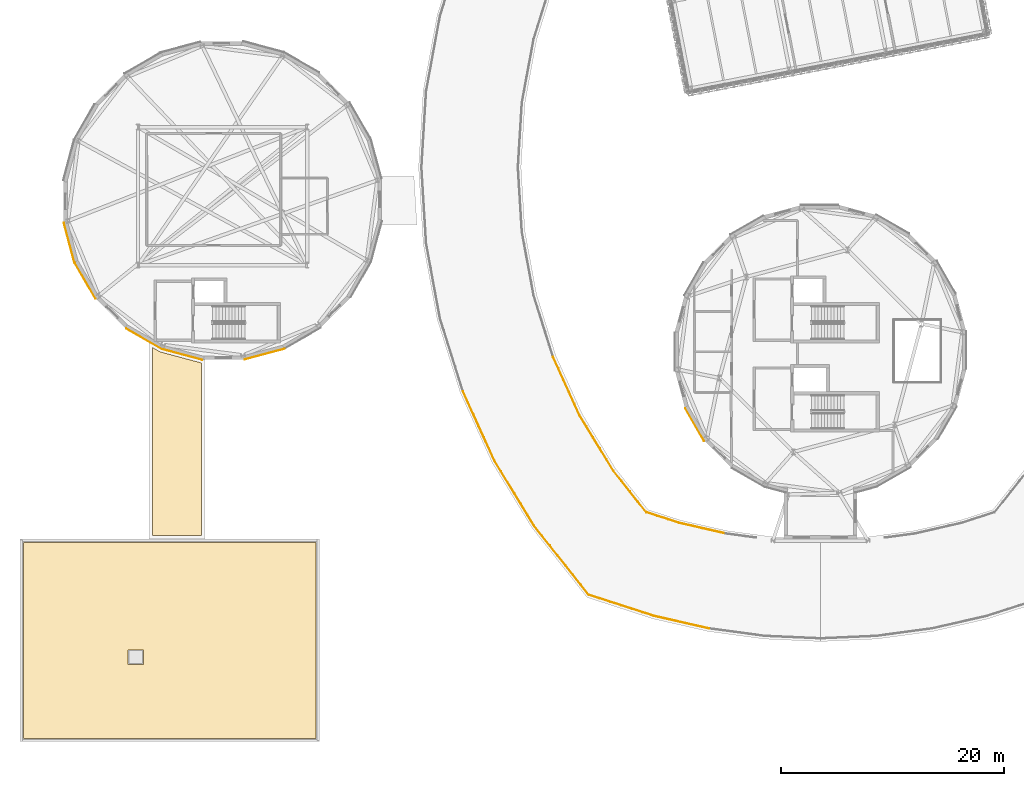
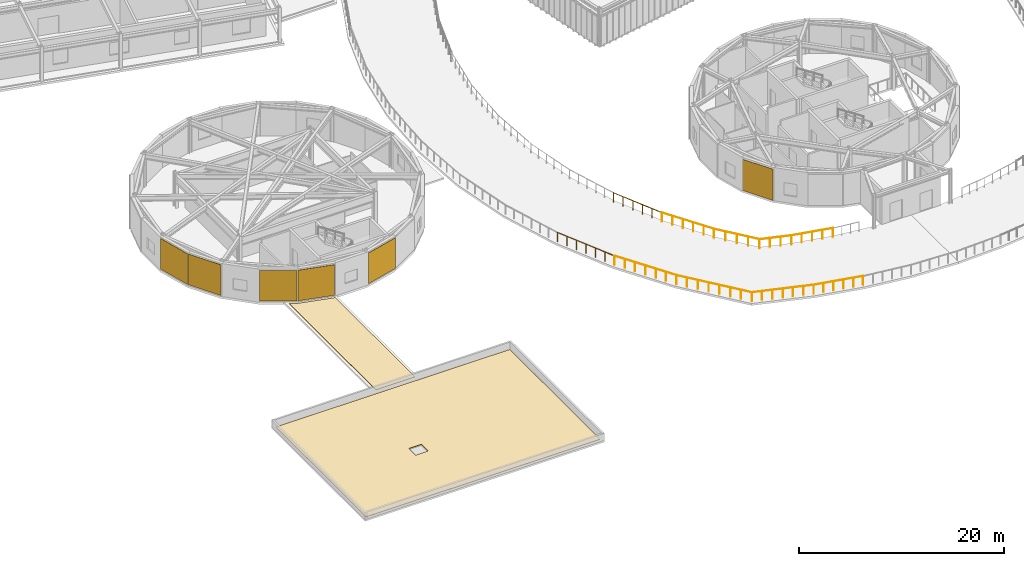
# One storey, part 45 of 59: 10 railings, 8 coverings.
"""IFC4 building model written with IfcOpenShell, lengths in metres."""

from ifc_helpers import new_model, si_unit, direction, frame, origin, origin_2d, place, context, subcontext, project, spatial, polyline, rectangle, circle, outline, extrude, material, layer, layer_set, type_object, element, save


model = new_model("IFC4")

# Units and contexts
model_context = context("Model", 3, precision=1e-05, world=origin(), true_north=direction((0.0, 1.0)))
body_context = subcontext(model_context, "Body", "Model", "MODEL_VIEW")
ifc_project = project(units=[si_unit("LENGTHUNIT", "METRE"), si_unit("AREAUNIT", "SQUARE_METRE"), si_unit("VOLUMEUNIT", "CUBIC_METRE"), si_unit("PLANEANGLEUNIT", "RADIAN"), si_unit("MASSUNIT", "GRAM", prefix="KILO")], contexts=[model_context])

# Site, building, storey
site_placement = place(None, origin())
site = spatial("IfcSite", under=ifc_project, at=site_placement, CompositionType="ELEMENT")
building_placement = place(site_placement, origin())
building = spatial("IfcBuilding", under=site, at=building_placement, Name="Varnklinge Art Gallery", CompositionType="ELEMENT")
storey_placement = place(building_placement, frame((0.0, 0.0, 9.52001953125)))
storey = spatial("IfcBuildingStorey", under=building, at=storey_placement, Name="L02", CompositionType="ELEMENT", Elevation=9.52001953125)

# Coverings
ifc_material_1 = material(Name="Oxide Terracotta Panel", Category="masonry")
ifc_layer_1 = layer(ifc_material_1, 0.034912109375)
ifc_layer_set_1 = layer_set([ifc_layer_1], Name="Oxide Terracotta Panel")
covering_type_1 = type_object("IfcCoveringType", Name="CLD-TER", PredefinedType="CLADDING", material=ifc_layer_set_1)
for number, where, z_axis, x_axis, name in (
    (1, (25.581787109375, 38.214599609375, 0.14990234375), (0.0, 0.0, 1.0), (-0.965925826289, -0.258819045103, 0.0), "L02 Oxide Terracotta Drum Cladding EW-V3-L02-06"),
    (2, (18.1826171875, 38.170654296875, 0.14990234375), (0.0, 0.0, 1.0), (-0.965925826289, 0.258819045103, 0.0), "L02 Oxide Terracotta Drum Cladding EW-V3-L02-08"),
    (3, (14.726318359375, 39.578125, 0.14990234375), (0.0, 0.0, 1.0), (-0.866025403784, 0.5, 0.0), "L02 Oxide Terracotta Drum Cladding EW-V3-L02-09"),
    (4, (9.463134765625, 44.779296875, 0.14990234375), (0.0, 0.0, 1.0), (-0.5, 0.866025403784, 0.0), "L02 Oxide Terracotta Drum Cladding EW-V3-L02-11"),
    (5, (8.0146484375, 48.21826171875, 0.14990234375), (0.0, 0.0, 1.0), (-0.258819045103, 0.965925826289, 0.0), "L02 Oxide Terracotta Drum Cladding EW-V3-L02-12"),
):
    element("IfcCovering", number, at=place(storey_placement, frame(where, z_axis=z_axis, x_axis=x_axis)), inside=storey, type_object=covering_type_1, Name=name, PredefinedType="CLADDING", context=body_context, shape_type="SweptSolid", body=[
        extrude(rectangle(XDim=3.684326171875, YDim=0.034912109375, at=origin_2d()), origin(), (0.0, 0.0, 1.0), 3.639892578125),
    ])
ifc_material_2 = material(Name="Pre-weathered Zinc", Category="metal")
ifc_layer_2 = layer(ifc_material_2, 0.02490234375)
ifc_layer_set_2 = layer_set([ifc_layer_2], Name="Pre-weathered Zinc")
covering_type_2 = type_object("IfcCoveringType", Name="CLD-ZNC", PredefinedType="CLADDING", material=ifc_layer_set_2)
covering_1_placement = place(storey_placement, frame((64.197998046875, 31.876708984375, 0.0458984375), z_axis=(0.0, 0.0, 1.0), x_axis=(-0.5, 0.866025403784, 0.0)))
element("IfcCovering", 6, at=covering_1_placement, inside=storey, type_object=covering_type_2, Name="L02 Brushed Zinc Drum Cladding EW-V4D-L02-10", PredefinedType="CLADDING", context=body_context, shape_type="SweptSolid", body=[
    extrude(rectangle(XDim=3.39111328125, YDim=0.02490234375, at=origin_2d()), origin(), (0.0, 0.0, 1.0), 3.7099609375),
])

# Railings
ifc_material_3 = material(Name="Steel S355", Category="steel")
railing_type = type_object("IfcRailingType", Name="GR-EXT", PredefinedType="GUARDRAIL", material=ifc_material_3)
railing_1_placement = place(storey_placement, frame((43.385009765625, 34.876708984375, 0.0)))
element("IfcRailing", 7, at=railing_1_placement, inside=storey, type_object=railing_type, Name="L02 Roof Sculpture Garden Guardrail O30.1", PredefinedType="GUARDRAIL", context=body_context, shape_type="SweptSolid", body=[
    extrude(circle(Radius=0.02392578125, at=origin_2d()), frame((0.0, 0.0, 1.1259765625), z_axis=(0.413395061382, -0.910551768558, 0.0), x_axis=(0.910551768558, 0.413395061382, 0.0)), (0.0, 0.0, 1.0), 6.85546875),
    extrude(circle(Radius=0.02099609375, at=origin_2d()), origin(), (0.0, 0.0, 1.0), 1.101806640625),
    extrude(circle(Radius=0.02099609375, at=origin_2d()), frame((0.472412109375, -1.040283203125, 0.0)), (0.0, 0.0, 1.0), 1.101806640625),
    extrude(circle(Radius=0.02099609375, at=origin_2d()), frame((0.944580078125, -2.080810546875, 0.0)), (0.0, 0.0, 1.0), 1.101806640625),
    extrude(circle(Radius=0.02099609375, at=origin_2d()), frame((1.4169921875, -3.12109375, 0.0)), (0.0, 0.0, 1.0), 1.101806640625),
    extrude(circle(Radius=0.02099609375, at=origin_2d()), frame((1.889404296875, -4.161376953125, 0.0)), (0.0, 0.0, 1.0), 1.101806640625),
    extrude(circle(Radius=0.02099609375, at=origin_2d()), frame((2.361572265625, -5.201904296875, 0.0)), (0.0, 0.0, 1.0), 1.101806640625),
    extrude(circle(Radius=0.02099609375, at=origin_2d()), frame((2.833984375, -6.2421875, 0.0)), (0.0, 0.0, 1.0), 1.101806640625),
])
railing_2_placement = place(storey_placement, frame((51.477294921875, 37.9716796875, 0.0)))
element("IfcRailing", 8, at=railing_2_placement, inside=storey, type_object=railing_type, Name="L02 Roof Sculpture Garden Guardrail I30.1", PredefinedType="GUARDRAIL", context=body_context, shape_type="SweptSolid", body=[
    extrude(circle(Radius=0.02392578125, at=origin_2d()), frame((0.0, 0.0, 1.1259765625), z_axis=(0.413381162395, -0.91055807864, 0.0), x_axis=(0.91055807864, 0.413381162395, 0.0)), (0.0, 0.0, 1.0), 5.80078125),
    extrude(circle(Radius=0.02099609375, at=origin_2d()), origin(), (0.0, 0.0, 1.0), 1.101806640625),
    extrude(circle(Radius=0.02099609375, at=origin_2d()), frame((0.4794921875, -1.056396484375, 0.0)), (0.0, 0.0, 1.0), 1.101806640625),
    extrude(circle(Radius=0.02099609375, at=origin_2d()), frame((0.959228515625, -2.11279296875, 0.0)), (0.0, 0.0, 1.0), 1.101806640625),
    extrude(circle(Radius=0.02099609375, at=origin_2d()), frame((1.438720703125, -3.169189453125, 0.0)), (0.0, 0.0, 1.0), 1.101806640625),
    extrude(circle(Radius=0.02099609375, at=origin_2d()), frame((1.91845703125, -4.2255859375, 0.0)), (0.0, 0.0, 1.0), 1.101806640625),
    extrude(circle(Radius=0.02099609375, at=origin_2d()), frame((2.39794921875, -5.281982421875, 0.0)), (0.0, 0.0, 1.0), 1.101806640625),
])
railing_3_placement = place(storey_placement, frame((46.218994140625, 28.634521484375, 0.0)))
element("IfcRailing", 9, at=railing_3_placement, inside=storey, type_object=railing_type, Name="L02 Roof Sculpture Garden Guardrail O31.1", PredefinedType="GUARDRAIL", context=body_context, shape_type="SweptSolid", body=[
    extrude(circle(Radius=0.02392578125, at=origin_2d()), frame((0.0, 0.0, 1.1259765625), z_axis=(0.520918310776, -0.853606533186, 0.0), x_axis=(0.853606533186, 0.520918310776, 0.0)), (0.0, 0.0, 1.0), 6.854736328125),
    extrude(circle(Radius=0.02099609375, at=origin_2d()), origin(), (0.0, 0.0, 1.0), 1.101806640625),
    extrude(circle(Radius=0.02099609375, at=origin_2d()), frame((0.59521484375, -0.97509765625, 0.0)), (0.0, 0.0, 1.0), 1.101806640625),
    extrude(circle(Radius=0.02099609375, at=origin_2d()), frame((1.190185546875, -1.950439453125, 0.0)), (0.0, 0.0, 1.0), 1.101806640625),
    extrude(circle(Radius=0.02099609375, at=origin_2d()), frame((1.785400390625, -2.92578125, 0.0)), (0.0, 0.0, 1.0), 1.101806640625),
    extrude(circle(Radius=0.02099609375, at=origin_2d()), frame((2.380615234375, -3.90087890625, 0.0)), (0.0, 0.0, 1.0), 1.101806640625),
    extrude(circle(Radius=0.02099609375, at=origin_2d()), frame((2.9755859375, -4.8759765625, 0.0)), (0.0, 0.0, 1.0), 1.101806640625),
    extrude(circle(Radius=0.02099609375, at=origin_2d()), frame((3.57080078125, -5.851318359375, 0.0)), (0.0, 0.0, 1.0), 1.101806640625),
])
railing_4_placement = place(storey_placement, frame((53.875244140625, 32.689697265625, 0.0)))
element("IfcRailing", 10, at=railing_4_placement, inside=storey, type_object=railing_type, Name="L02 Roof Sculpture Garden Guardrail I31.1", PredefinedType="GUARDRAIL", context=body_context, shape_type="SweptSolid", body=[
    extrude(circle(Radius=0.02392578125, at=origin_2d()), frame((0.0, 0.0, 1.1259765625), z_axis=(0.52096132854, -0.85358027986, 0.0), x_axis=(0.85358027986, 0.52096132854, 0.0)), (0.0, 0.0, 1.0), 5.80078125),
    extrude(circle(Radius=0.02099609375, at=origin_2d()), origin(), (0.0, 0.0, 1.0), 1.101806640625),
    extrude(circle(Radius=0.02099609375, at=origin_2d()), frame((0.6044921875, -0.990234375, 0.0)), (0.0, 0.0, 1.0), 1.101806640625),
    extrude(circle(Radius=0.02099609375, at=origin_2d()), frame((1.208740234375, -1.98046875, 0.0)), (0.0, 0.0, 1.0), 1.101806640625),
    extrude(circle(Radius=0.02099609375, at=origin_2d()), frame((1.813232421875, -2.970947265625, 0.0)), (0.0, 0.0, 1.0), 1.101806640625),
    extrude(circle(Radius=0.02099609375, at=origin_2d()), frame((2.41748046875, -3.961181640625, 0.0)), (0.0, 0.0, 1.0), 1.101806640625),
    extrude(circle(Radius=0.02099609375, at=origin_2d()), frame((3.02197265625, -4.951416015625, 0.0)), (0.0, 0.0, 1.0), 1.101806640625),
])
railing_5_placement = place(storey_placement, frame((49.789794921875, 22.783203125, 0.0)))
element("IfcRailing", 11, at=railing_5_placement, inside=storey, type_object=railing_type, Name="L02 Roof Sculpture Garden Guardrail O32.1", PredefinedType="GUARDRAIL", context=body_context, shape_type="SweptSolid", body=[
    extrude(circle(Radius=0.02392578125, at=origin_2d()), frame((0.0, 0.0, 1.1259765625), z_axis=(0.620763892495, -0.783997570006, 0.0), x_axis=(0.783997570006, 0.620763892495, 0.0)), (0.0, 0.0, 1.0), 7.900146484375),
    extrude(circle(Radius=0.02099609375, at=origin_2d()), origin(), (0.0, 0.0, 1.0), 1.101806640625),
    extrude(circle(Radius=0.02099609375, at=origin_2d()), frame((0.70068359375, -0.884765625, 0.0)), (0.0, 0.0, 1.0), 1.101806640625),
    extrude(circle(Radius=0.02099609375, at=origin_2d()), frame((1.401123046875, -1.76953125, 0.0)), (0.0, 0.0, 1.0), 1.101806640625),
    extrude(circle(Radius=0.02099609375, at=origin_2d()), frame((2.101806640625, -2.654296875, 0.0)), (0.0, 0.0, 1.0), 1.101806640625),
    extrude(circle(Radius=0.02099609375, at=origin_2d()), frame((2.80224609375, -3.539306640625, 0.0)), (0.0, 0.0, 1.0), 1.101806640625),
    extrude(circle(Radius=0.02099609375, at=origin_2d()), frame((3.5029296875, -4.424072265625, 0.0)), (0.0, 0.0, 1.0), 1.101806640625),
    extrude(circle(Radius=0.02099609375, at=origin_2d()), frame((4.203369140625, -5.308837890625, 0.0)), (0.0, 0.0, 1.0), 1.101806640625),
    extrude(circle(Radius=0.02099609375, at=origin_2d()), frame((4.904052734375, -6.193603515625, 0.0)), (0.0, 0.0, 1.0), 1.101806640625),
])
railing_6_placement = place(storey_placement, frame((56.897216796875, 27.73828125, 0.0)))
element("IfcRailing", 12, at=railing_6_placement, inside=storey, type_object=railing_type, Name="L02 Roof Sculpture Garden Guardrail I32.1", PredefinedType="GUARDRAIL", context=body_context, shape_type="SweptSolid", body=[
    extrude(circle(Radius=0.02392578125, at=origin_2d()), frame((0.0, 0.0, 1.1259765625), z_axis=(0.620762109021, -0.783998982145, 0.0), x_axis=(0.783998982145, 0.620762109021, 0.0)), (0.0, 0.0, 1.0), 4.756103515625),
    extrude(circle(Radius=0.02099609375, at=origin_2d()), origin(), (0.0, 0.0, 1.0), 1.101806640625),
    extrude(circle(Radius=0.02099609375, at=origin_2d()), frame((0.738037109375, -0.93212890625, 0.0)), (0.0, 0.0, 1.0), 1.101806640625),
    extrude(circle(Radius=0.02099609375, at=origin_2d()), frame((1.47607421875, -1.8642578125, 0.0)), (0.0, 0.0, 1.0), 1.101806640625),
    extrude(circle(Radius=0.02099609375, at=origin_2d()), frame((2.21435546875, -2.796630859375, 0.0)), (0.0, 0.0, 1.0), 1.101806640625),
    extrude(circle(Radius=0.02099609375, at=origin_2d()), frame((2.952392578125, -3.728759765625, 0.0)), (0.0, 0.0, 1.0), 1.101806640625),
])
railing_7_placement = place(storey_placement, frame((54.69384765625, 16.589599609375, 0.0)))
element("IfcRailing", 13, at=railing_7_placement, inside=storey, type_object=railing_type, Name="L02 Roof Sculpture Garden Guardrail O33.1", PredefinedType="GUARDRAIL", context=body_context, shape_type="SweptSolid", body=[
    extrude(circle(Radius=0.02392578125, at=origin_2d()), frame((0.0, 0.0, 1.1259765625), z_axis=(0.951298900476, -0.308270014685, 0.0), x_axis=(0.308270014685, 0.951298900476, 0.0)), (0.0, 0.0, 1.0), 6.15673828125),
    extrude(circle(Radius=0.02099609375, at=origin_2d()), origin(), (0.0, 0.0, 1.0), 1.101806640625),
    extrude(circle(Radius=0.02099609375, at=origin_2d()), frame((0.97607421875, -0.31640625, 0.0)), (0.0, 0.0, 1.0), 1.101806640625),
    extrude(circle(Radius=0.02099609375, at=origin_2d()), frame((1.952392578125, -0.632568359375, 0.0)), (0.0, 0.0, 1.0), 1.101806640625),
    extrude(circle(Radius=0.02099609375, at=origin_2d()), frame((2.928466796875, -0.948974609375, 0.0)), (0.0, 0.0, 1.0), 1.101806640625),
    extrude(circle(Radius=0.02099609375, at=origin_2d()), frame((3.904541015625, -1.265380859375, 0.0)), (0.0, 0.0, 1.0), 1.101806640625),
    extrude(circle(Radius=0.02099609375, at=origin_2d()), frame((4.880859375, -1.58154296875, 0.0)), (0.0, 0.0, 1.0), 1.101806640625),
    extrude(circle(Radius=0.02099609375, at=origin_2d()), frame((5.85693359375, -1.89794921875, 0.0)), (0.0, 0.0, 1.0), 1.101806640625),
])
railing_8_placement = place(storey_placement, frame((59.849609375, 24.009521484375, 0.0)))
element("IfcRailing", 14, at=railing_8_placement, inside=storey, type_object=railing_type, Name="L02 Roof Sculpture Garden Guardrail I33.1", PredefinedType="GUARDRAIL", context=body_context, shape_type="SweptSolid", body=[
    extrude(circle(Radius=0.02392578125, at=origin_2d()), frame((0.0, 0.0, 1.1259765625), z_axis=(0.951298964859, -0.308269816002, 0.0), x_axis=(0.308269816002, 0.951298964859, 0.0)), (0.0, 0.0, 1.0), 3.152099609375),
    extrude(circle(Radius=0.02099609375, at=origin_2d()), origin(), (0.0, 0.0, 1.0), 1.101806640625),
    extrude(circle(Radius=0.02099609375, at=origin_2d()), frame((0.99951171875, -0.323974609375, 0.0)), (0.0, 0.0, 1.0), 1.101806640625),
    extrude(circle(Radius=0.02099609375, at=origin_2d()), frame((1.9990234375, -0.647705078125, 0.0)), (0.0, 0.0, 1.0), 1.101806640625),
    extrude(circle(Radius=0.02099609375, at=origin_2d()), frame((2.99853515625, -0.9716796875, 0.0)), (0.0, 0.0, 1.0), 1.101806640625),
])
railing_9_placement = place(storey_placement, frame((60.55078125, 14.691650390625, 0.0)))
element("IfcRailing", 15, at=railing_9_placement, inside=storey, type_object=railing_type, Name="L02 Roof Sculpture Garden Guardrail O34.1", PredefinedType="GUARDRAIL", context=body_context, shape_type="SweptSolid", body=[
    extrude(circle(Radius=0.02392578125, at=origin_2d()), frame((0.0, 0.0, 1.1259765625), z_axis=(0.975052879575, -0.221972705601, 0.0), x_axis=(0.221972705601, 0.975052879575, 0.0)), (0.0, 0.0, 1.0), 5.041748046875),
    extrude(circle(Radius=0.02099609375, at=origin_2d()), origin(), (0.0, 0.0, 1.0), 1.101806640625),
    extrude(circle(Radius=0.02099609375, at=origin_2d()), frame((0.983154296875, -0.223876953125, 0.0)), (0.0, 0.0, 1.0), 1.101806640625),
    extrude(circle(Radius=0.02099609375, at=origin_2d()), frame((1.96630859375, -0.44775390625, 0.0)), (0.0, 0.0, 1.0), 1.101806640625),
    extrude(circle(Radius=0.02099609375, at=origin_2d()), frame((2.94970703125, -0.67138671875, 0.0)), (0.0, 0.0, 1.0), 1.101806640625),
    extrude(circle(Radius=0.02099609375, at=origin_2d()), frame((3.932861328125, -0.895263671875, 0.0)), (0.0, 0.0, 1.0), 1.101806640625),
    extrude(circle(Radius=0.02099609375, at=origin_2d()), frame((4.916015625, -1.119140625, 0.0)), (0.0, 0.0, 1.0), 1.101806640625),
])
railing_10_placement = place(storey_placement, frame((62.84814453125, 23.037841796875, 0.0)))
element("IfcRailing", 16, at=railing_10_placement, inside=storey, type_object=railing_type, Name="L02 Roof Sculpture Garden Guardrail I34.1", PredefinedType="GUARDRAIL", context=body_context, shape_type="SweptSolid", body=[
    extrude(circle(Radius=0.02392578125, at=origin_2d()), frame((0.0, 0.0, 1.1259765625), z_axis=(0.975060863932, -0.221937630043, 0.0), x_axis=(0.221937630043, 0.975060863932, 0.0)), (0.0, 0.0, 1.0), 4.26708984375),
    extrude(circle(Radius=0.02099609375, at=origin_2d()), origin(), (0.0, 0.0, 1.0), 1.101806640625),
    extrude(circle(Radius=0.02099609375, at=origin_2d()), frame((1.0400390625, -0.23681640625, 0.0)), (0.0, 0.0, 1.0), 1.101806640625),
    extrude(circle(Radius=0.02099609375, at=origin_2d()), frame((2.080322265625, -0.4736328125, 0.0)), (0.0, 0.0, 1.0), 1.101806640625),
    extrude(circle(Radius=0.02099609375, at=origin_2d()), frame((3.12060546875, -0.710205078125, 0.0)), (0.0, 0.0, 1.0), 1.101806640625),
    extrude(circle(Radius=0.02099609375, at=origin_2d()), frame((4.16064453125, -0.947021484375, 0.0)), (0.0, 0.0, 1.0), 1.101806640625),
])

# Coverings
ifc_material_4 = material(Name="Polymer-Modified Bitumen Roofing", Category="membrane")
ifc_layer_3 = layer(ifc_material_4, 0.06005859375)
ifc_layer_set_3 = layer_set([ifc_layer_3], Name="Polymer-Modified Bitumen Roofing")
covering_type_3 = type_object("IfcCoveringType", Name="RFG-MEM", PredefinedType="ROOFING", material=ifc_layer_set_3)
covering_2_placement = place(storey_placement, origin())
element("IfcCovering", 17, at=covering_2_placement, inside=storey, type_object=covering_type_3, Name="L02 Roof Covering 08", PredefinedType="ROOFING", context=body_context, shape_type="SweptSolid", body=[
    extrude(outline(polyline([(30.199951171875, 3.699951171875), (30.199951171875, 21.300048828125), (3.89990234375, 21.300048828125), (3.89990234375, 3.699951171875), (30.199951171875, 3.699951171875)]), holes=[polyline([(14.705078125, 10.344970703125), (14.705078125, 11.655029296875), (13.294921875, 11.655029296875), (13.294921875, 10.344970703125), (14.705078125, 10.344970703125)])]), origin(), (0.0, 0.0, 1.0), 0.06005859375),
])
covering_3_placement = place(storey_placement, origin())
element("IfcCovering", 18, at=covering_3_placement, inside=storey, type_object=covering_type_3, Name="L02 Roof Covering 14", PredefinedType="ROOFING", context=body_context, shape_type="SweptSolid", body=[
    extrude(outline(polyline([(19.89990234375, 37.424072265625), (19.894287109375, 37.42431640625), (19.868408203125, 37.427734375), (19.8427734375, 37.433349609375), (16.2119140625, 38.40625), (16.186767578125, 38.414306640625), (16.16259765625, 38.42431640625), (16.139404296875, 38.436279296875), (15.5, 38.805419921875), (15.5, 21.89990234375), (19.89990234375, 21.89990234375), (19.89990234375, 37.424072265625)])), origin(), (0.0, 0.0, 1.0), 0.06005859375),
])

save(model, "model.ifc")
